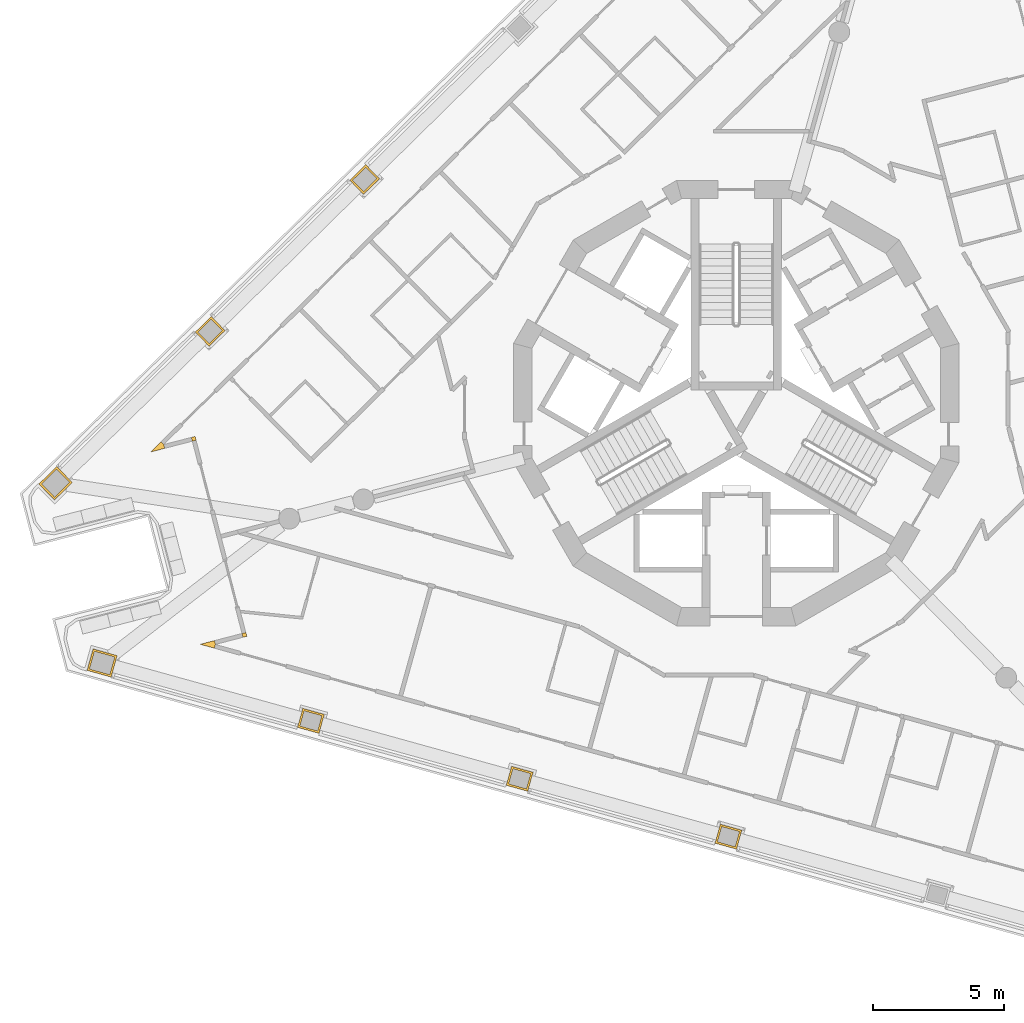
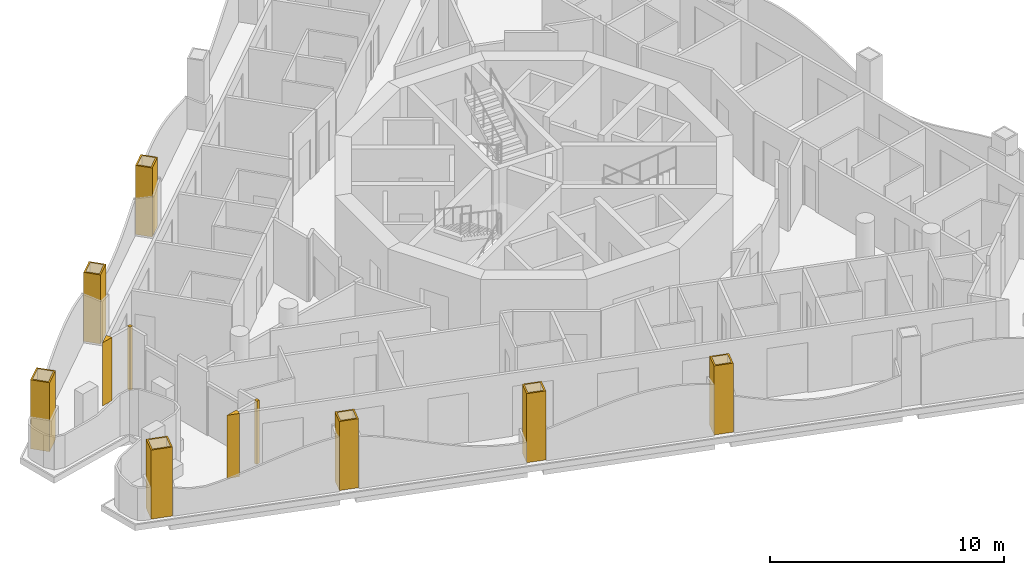
# One storey, part 9 of 14: 11 coverings.
"""IFC4 building model written with IfcOpenShell, lengths in metres."""

import ifcopenshell
import ifcopenshell.guid

model = None  # the IFC model being written
_history = None  # IfcOwnerHistory: only IFC2X3 demands one
_inside = {}  # id of a spatial element -> (the spatial element, [elements in it])
_under = {}  # id of a project, library or spatial element -> (it, [spatial elements below it])
_declared = {}  # id of a project -> (the project, [libraries it declares])
_typed = {}  # id of a type object -> (the type object, [elements of that type])
_made_of = {}  # id of a material, layer set ... -> (it, [elements and type objects made of it])


def new_model(schema):
    """Start an empty IFC model of exactly this schema.

    Asked for "IFC4X3", IfcOpenShell would pick the latest addendum, in which some entities
    have other attributes; the version numbers below select the first issue.
    IFC2X3 requires an IfcOwnerHistory on every rooted entity: one is made here for all.
    """
    global model, _history
    if schema == "IFC4X3":
        model = ifcopenshell.file(schema_version=(4, 3, 0, 0))
    else:
        model = ifcopenshell.file(schema=schema)
    _inside.clear()
    _under.clear()
    _declared.clear()
    _typed.clear()
    _made_of.clear()
    _history = None
    if model.schema == "IFC2X3":
        org = make("IfcOrganization", Name="unknown")
        user = make(
            "IfcPersonAndOrganization",
            ThePerson=make("IfcPerson", FamilyName="unknown"),
            TheOrganization=org,
        )
        app = make(
            "IfcApplication",
            ApplicationDeveloper=org,
            Version="unknown",
            ApplicationFullName="unknown",
            ApplicationIdentifier="unknown",
        )
        _history = make(
            "IfcOwnerHistory",
            OwningUser=user,
            OwningApplication=app,
            ChangeAction="ADDED",
            CreationDate=0,
        )
    return model


def make(cls, **values):
    """One entity of the class cls with the attributes given. An attribute that is None is left unset."""
    return model.create_entity(
        cls, **{name: value for name, value in values.items() if value is not None}
    )


def rooted(cls, **values):
    """An entity with a GlobalId (a new one), such as an element, a storey or a relation."""
    return make(cls, GlobalId=ifcopenshell.guid.new(), OwnerHistory=_history, **values)


def si_unit(unit_type, name, prefix=None):
    """IfcSIUnit, for example si_unit("LENGTHUNIT", "METRE", prefix="MILLI")."""
    return make("IfcSIUnit", UnitType=unit_type, Prefix=prefix, Name=name)


def assignment(units):
    """IfcUnitAssignment: the units of a project."""
    return None if units is None else make("IfcUnitAssignment", Units=units)


def point(xyz):
    """IfcCartesianPoint."""
    return None if xyz is None else make("IfcCartesianPoint", Coordinates=xyz)


def direction(xyz):
    """IfcDirection."""
    return None if xyz is None else make("IfcDirection", DirectionRatios=xyz)


def frame(location, z_axis=None, x_axis=None):
    """IfcAxis2Placement3D, a coordinate frame: its origin and axes. An axis left out is left unset."""
    return make(
        "IfcAxis2Placement3D",
        Location=point(location),
        Axis=direction(z_axis),
        RefDirection=direction(x_axis),
    )


def origin():
    """The frame at (0, 0, 0) with its axes left unset."""
    return frame((0.0, 0.0, 0.0))


def place(relative_to, where):
    """IfcLocalPlacement: puts the frame where relative to a parent placement (None: the world)."""
    return make(
        "IfcLocalPlacement", PlacementRelTo=relative_to, RelativePlacement=where
    )


def context(
    kind, dimensions, precision=None, world=None, true_north=None, identifier=None
):
    """IfcGeometricRepresentationContext, for example the 3D "Model" context."""
    return make(
        "IfcGeometricRepresentationContext",
        ContextIdentifier=identifier,
        ContextType=kind,
        CoordinateSpaceDimension=dimensions,
        Precision=precision,
        WorldCoordinateSystem=world,
        TrueNorth=true_north,
    )


def subcontext(parent, identifier, kind, view, scale=None):
    """IfcGeometricRepresentationSubContext, for example "Body" below "Model"."""
    return make(
        "IfcGeometricRepresentationSubContext",
        ContextIdentifier=identifier,
        ContextType=kind,
        ParentContext=parent,
        TargetScale=scale,
        TargetView=view,
    )


def project(units=None, contexts=None):
    """IfcProject with its units and contexts."""
    return rooted(
        "IfcProject",
        Name="project",
        RepresentationContexts=contexts,
        UnitsInContext=assignment(units),
    )


def spatial(cls, under=None, at=None, **own):
    """A site, building, storey or space (cls), placed at a placement, below another one or the project."""
    s = rooted(cls, ObjectPlacement=at, **own)
    if under is not None:
        _under.setdefault(under.id(), (under, []))[1].append(s)
    return s


def polyline(points):
    """IfcPolyline through the points."""
    return make("IfcPolyline", Points=[point(p) for p in points])


def outline(outer, holes=None, kind="AREA"):
    """IfcArbitraryClosedProfileDef: a profile drawn as a closed curve; with holes, ...WithVoids."""
    if holes is None:
        return make("IfcArbitraryClosedProfileDef", ProfileType=kind, OuterCurve=outer)
    return make(
        "IfcArbitraryProfileDefWithVoids",
        ProfileType=kind,
        OuterCurve=outer,
        InnerCurves=holes,
    )


def extrude(swept, where, along, depth):
    """IfcExtrudedAreaSolid: the profile swept, set in the frame where, extruded along a direction by depth."""
    return make(
        "IfcExtrudedAreaSolid",
        SweptArea=swept,
        Position=where,
        ExtrudedDirection=direction(along),
        Depth=depth,
    )


def shape(context_of_items, identifier, shape_type, items):
    """IfcShapeRepresentation: the items that make up one representation, for example the "Body"."""
    return make(
        "IfcShapeRepresentation",
        ContextOfItems=context_of_items,
        RepresentationIdentifier=identifier,
        RepresentationType=shape_type,
        Items=items,
    )


def material(Name=None, Category=None):
    """IfcMaterial."""
    return make("IfcMaterial", Name=Name, Category=Category)


def layer(
    of_material, thickness, ventilated=None, Name=None, Category=None, Priority=None
):
    """IfcMaterialLayer: one layer of a wall or slab, of a material (None: an air gap)."""
    return make(
        "IfcMaterialLayer",
        Material=of_material,
        LayerThickness=thickness,
        IsVentilated=ventilated,
        Name=Name,
        Category=Category,
        Priority=Priority,
    )


def layer_set(layers, Name=None):
    """IfcMaterialLayerSet."""
    return make("IfcMaterialLayerSet", MaterialLayers=layers, LayerSetName=Name)


def made_of(thing, what):
    """Note that an element or type object is made of a material, layer set ...; save() writes the relation."""
    if what is not None:
        _made_of.setdefault(what.id(), (what, []))[1].append(thing)
    return thing


def type_object(cls, material=None, **own):
    """A type object (cls), such as IfcWallType, which elements share."""
    return made_of(rooted(cls, **own), material)


def element(
    cls,
    number,
    at=None,
    inside=None,
    cuts=None,
    type_object=None,
    material=None,
    context=None,
    identifier="Body",
    shape_type=None,
    held_by="IfcProductDefinitionShape",
    body=None,
    shapes=None,
    **own,
):
    """One element of the class cls, such as IfcWall. Its Tag is "e" and its number.

    at: its placement. inside: the storey or other place that contains it. cuts: it is an
    opening in that element (IfcRelVoidsElement). A single representation is given by context,
    identifier, shape_type and body (its items); several are given by shapes. held_by: the class
    of the entity that holds the representations. save() writes the other relations.
    """
    e = rooted(cls, Tag="e%d" % number, ObjectPlacement=at, **own)
    if body is not None:
        shapes = [shape(context, identifier, shape_type, body)]
    if shapes is not None:
        e.Representation = make(held_by, Representations=shapes)
    if inside is not None:
        _inside.setdefault(inside.id(), (inside, []))[1].append(e)
    if cuts is not None:
        rooted(
            "IfcRelVoidsElement", RelatingBuildingElement=cuts, RelatedOpeningElement=e
        )
    if type_object is not None:
        _typed.setdefault(type_object.id(), (type_object, []))[1].append(e)
    return made_of(e, material)


def aggregate(whole, parts):
    """IfcRelAggregates: a whole, such as a stair, and the parts it consists of."""
    return rooted("IfcRelAggregates", RelatingObject=whole, RelatedObjects=parts)


def save(model, path):
    """Write the relations noted so far, then the file.

    IfcRelAggregates (storeys below a building ...), IfcRelContainedInSpatialStructure (elements
    in a storey), IfcRelDefinesByType, IfcRelAssociatesMaterial and IfcRelDeclares: one each for
    every whole, place, type object, material and project.
    """
    for whole, parts in _under.values():
        aggregate(whole, parts)
    for where, things in _inside.values():
        rooted(
            "IfcRelContainedInSpatialStructure",
            RelatedElements=things,
            RelatingStructure=where,
        )
    for kind, things in _typed.values():
        rooted("IfcRelDefinesByType", RelatedObjects=things, RelatingType=kind)
    for what, things in _made_of.values():
        rooted("IfcRelAssociatesMaterial", RelatedObjects=things, RelatingMaterial=what)
    for by, libraries in _declared.values():
        rooted("IfcRelDeclares", RelatingContext=by, RelatedDefinitions=libraries)
    model.write(path)


model = new_model("IFC4")

# Units and contexts
model_context = context("Model", 3, precision=1e-05, world=origin(), true_north=direction((0.0, 1.0)))
body_context = subcontext(model_context, "Body", "Model", "MODEL_VIEW")
ifc_project = project(units=[si_unit("LENGTHUNIT", "METRE"), si_unit("AREAUNIT", "SQUARE_METRE"), si_unit("VOLUMEUNIT", "CUBIC_METRE"), si_unit("PLANEANGLEUNIT", "RADIAN"), si_unit("MASSUNIT", "GRAM", prefix="KILO")], contexts=[model_context])

# Site, building, storey
site_placement = place(None, origin())
site = spatial("IfcSite", under=ifc_project, at=site_placement, CompositionType="ELEMENT")
building_placement = place(site_placement, origin())
building = spatial("IfcBuilding", under=site, at=building_placement, Name="Trine Commons Tower", CompositionType="ELEMENT")
storey_placement = place(building_placement, frame((0.0, 0.0, 242.10009765625)))
storey = spatial("IfcBuildingStorey", under=building, at=storey_placement, Name="L63", CompositionType="ELEMENT", Elevation=242.10009765625)

# Coverings
ifc_material_1 = material(Name="Aluminium-framed insulated wall panel", Category="aluminium")
ifc_layer_1 = layer(ifc_material_1, 0.14990234375)
ifc_layer_set_1 = layer_set([ifc_layer_1], Name="Aluminium-framed insulated wall panel")
covering_type_1 = type_object("IfcCoveringType", Name="Glazing corner post, aluminium", PredefinedType="CLADDING", material=ifc_layer_set_1)
covering_1_placement = place(storey_placement, origin())
element("IfcCovering", 1, at=covering_1_placement, inside=storey, type_object=covering_type_1, Name="Glazing corner post 7-01", PredefinedType="CLADDING", context=body_context, shape_type="SweptSolid", body=[
    extrude(outline(polyline([(58.186279296875, 60.773193359375), (58.14892578125, 60.91845703125), (58.043701171875, 61.025390625), (57.644287109375, 60.63330078125), (58.186279296875, 60.773193359375)])), origin(), (0.0, 0.0, 1.0), 3.2998046875),
])
covering_2_placement = place(storey_placement, origin())
element("IfcCovering", 2, at=covering_2_placement, inside=storey, type_object=covering_type_1, Name="Glazing corner post 7-10", PredefinedType="CLADDING", context=body_context, shape_type="SweptSolid", body=[
    extrude(outline(polyline([(60.081787109375, 53.14501953125), (60.121826171875, 53.28955078125), (60.084228515625, 53.434814453125), (59.542236328125, 53.294677734375), (60.081787109375, 53.14501953125)])), origin(), (0.0, 0.0, 1.0), 3.2998046875),
])
covering_3_placement = place(storey_placement, origin())
element("IfcCovering", 3, at=covering_3_placement, inside=storey, type_object=covering_type_1, Name="Glazing corner post 7-11", PredefinedType="CLADDING", context=body_context, shape_type="SweptSolid", body=[
    extrude(outline(polyline([(61.135498046875, 53.70654296875), (61.135498046875, 53.70654296875), (61.173095703125, 53.561279296875), (61.318115234375, 53.598876953125), (61.28076171875, 53.744140625), (61.135498046875, 53.70654296875)])), origin(), (0.0, 0.0, 1.0), 3.2998046875),
])
covering_4_placement = place(storey_placement, origin())
element("IfcCovering", 4, at=covering_4_placement, inside=storey, type_object=covering_type_1, Name="Glazing corner post 7-12", PredefinedType="CLADDING", context=body_context, shape_type="SweptSolid", body=[
    extrude(outline(polyline([(59.199951171875, 61.1904296875), (59.237548828125, 61.045166015625), (59.3828125, 61.082763671875), (59.34521484375, 61.227783203125), (59.199951171875, 61.1904296875)])), origin(), (0.0, 0.0, 1.0), 3.2998046875),
])
ifc_material_2 = material(Name="Limestone, honed", Category="masonry")
ifc_layer_2 = layer(ifc_material_2, 0.074951171875)
ifc_layer_set_2 = layer_set([ifc_layer_2], Name="Limestone, honed")
covering_type_2 = type_object("IfcCoveringType", Name="Limestone column cladding 75", PredefinedType="CLADDING", material=ifc_layer_set_2)
covering_5_placement = place(storey_placement, origin())
element("IfcCovering", 5, at=covering_5_placement, inside=storey, type_object=covering_type_2, Name="Limestone pier cladding 7-03", PredefinedType="CLADDING", context=body_context, shape_type="SweptSolid", body=[
    extrude(outline(polyline([(79.3916015625, 46.42529296875), (79.19091796875, 45.70263671875), (80.010009765625, 45.4755859375), (80.210693359375, 46.1982421875), (79.3916015625, 46.42529296875)]), holes=[polyline([(79.443603515625, 46.3330078125), (79.283447265625, 45.7548828125), (79.9580078125, 45.56787109375), (80.1181640625, 46.14599609375), (79.443603515625, 46.3330078125)])]), origin(), (0.0, 0.0, 1.0), 3.599853515625),
])
covering_6_placement = place(storey_placement, origin())
element("IfcCovering", 6, at=covering_6_placement, inside=storey, type_object=covering_type_2, Name="Limestone pier cladding 7-04", PredefinedType="CLADDING", context=body_context, shape_type="SweptSolid", body=[
    extrude(outline(polyline([(71.423583984375, 48.635009765625), (71.222900390625, 47.912353515625), (72.0419921875, 47.685302734375), (72.24267578125, 48.407958984375), (71.423583984375, 48.635009765625)]), holes=[polyline([(71.4755859375, 48.542724609375), (71.3154296875, 47.964599609375), (71.989990234375, 47.777587890625), (72.150146484375, 48.355712890625), (71.4755859375, 48.542724609375)])]), origin(), (0.0, 0.0, 1.0), 3.599853515625),
])
covering_7_placement = place(storey_placement, origin())
element("IfcCovering", 7, at=covering_7_placement, inside=storey, type_object=covering_type_2, Name="Limestone pier cladding 7-05", PredefinedType="CLADDING", context=body_context, shape_type="SweptSolid", body=[
    extrude(outline(polyline([(63.45556640625, 50.8447265625), (63.2548828125, 50.1220703125), (64.07421875, 49.89501953125), (64.274658203125, 50.61767578125), (63.45556640625, 50.8447265625)]), holes=[polyline([(63.5078125, 50.75244140625), (63.347412109375, 50.17431640625), (64.02197265625, 49.9873046875), (64.18212890625, 50.5654296875), (63.5078125, 50.75244140625)])]), origin(), (0.0, 0.0, 1.0), 3.599853515625),
])
covering_8_placement = place(storey_placement, origin())
element("IfcCovering", 8, at=covering_8_placement, inside=storey, type_object=covering_type_2, Name="Limestone pier cladding 7-06", PredefinedType="CLADDING", context=body_context, shape_type="SweptSolid", body=[
    extrude(outline(polyline([(55.45263671875, 53.115966796875), (55.2255859375, 52.296875), (56.140869140625, 52.04296875), (56.3681640625, 52.862060546875), (55.45263671875, 53.115966796875)]), holes=[polyline([(55.5048828125, 53.023681640625), (55.31787109375, 52.34912109375), (56.088623046875, 52.13525390625), (56.27587890625, 52.809814453125), (55.5048828125, 53.023681640625)])]), origin(), (0.0, 0.0, 1.0), 3.599853515625),
])
covering_9_placement = place(storey_placement, origin())
element("IfcCovering", 9, at=covering_9_placement, inside=storey, type_object=covering_type_2, Name="Limestone pier cladding 7-07", PredefinedType="CLADDING", context=body_context, shape_type="SweptSolid", body=[
    extrude(outline(polyline([(54.65869140625, 59.472412109375), (54.062744140625, 60.078857421875), (53.38525390625, 59.412841796875), (53.98095703125, 58.806640625), (54.65869140625, 59.472412109375)]), holes=[polyline([(54.552490234375, 59.473388671875), (54.06201171875, 59.97265625), (53.4912109375, 59.412109375), (53.98193359375, 58.91259765625), (54.552490234375, 59.473388671875)])]), origin(), (0.0, 0.0, 1.0), 3.599853515625),
])
covering_10_placement = place(storey_placement, origin())
element("IfcCovering", 10, at=covering_10_placement, inside=storey, type_object=covering_type_2, Name="Limestone pier cladding 7-08", PredefinedType="CLADDING", context=body_context, shape_type="SweptSolid", body=[
    extrude(outline(polyline([(60.485595703125, 65.268798828125), (59.959716796875, 65.8037109375), (59.353515625, 65.2080078125), (59.879150390625, 64.6728515625), (60.485595703125, 65.268798828125)]), holes=[polyline([(60.37939453125, 65.26953125), (59.958984375, 65.697509765625), (59.459716796875, 65.20703125), (59.880126953125, 64.779052734375), (60.37939453125, 65.26953125)])]), origin(), (0.0, 0.0, 1.0), 3.599853515625),
])
covering_11_placement = place(storey_placement, origin())
element("IfcCovering", 11, at=covering_11_placement, inside=storey, type_object=covering_type_2, Name="Limestone pier cladding 7-09", PredefinedType="CLADDING", context=body_context, shape_type="SweptSolid", body=[
    extrude(outline(polyline([(66.38330078125, 71.064208984375), (65.857421875, 71.599365234375), (65.251220703125, 71.00341796875), (65.77685546875, 70.468505859375), (66.38330078125, 71.064208984375)]), holes=[polyline([(66.277099609375, 71.065185546875), (65.856689453125, 71.4931640625), (65.357421875, 71.002685546875), (65.77783203125, 70.57470703125), (66.277099609375, 71.065185546875)])]), origin(), (0.0, 0.0, 1.0), 3.599853515625),
])

save(model, "model.ifc")
